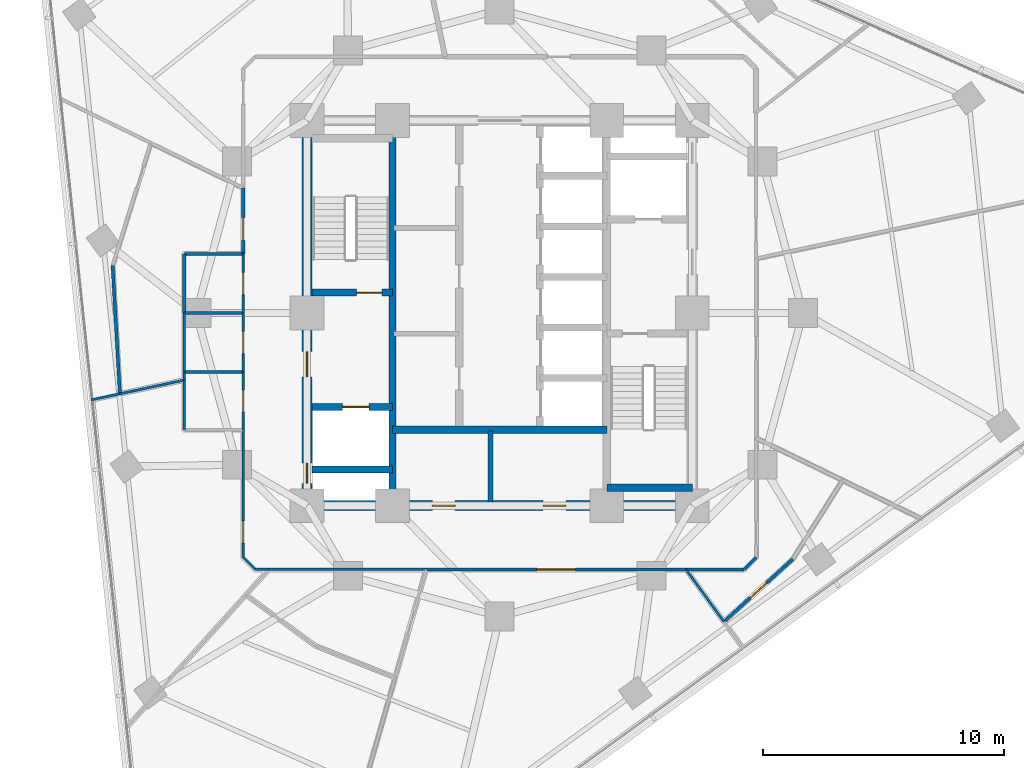
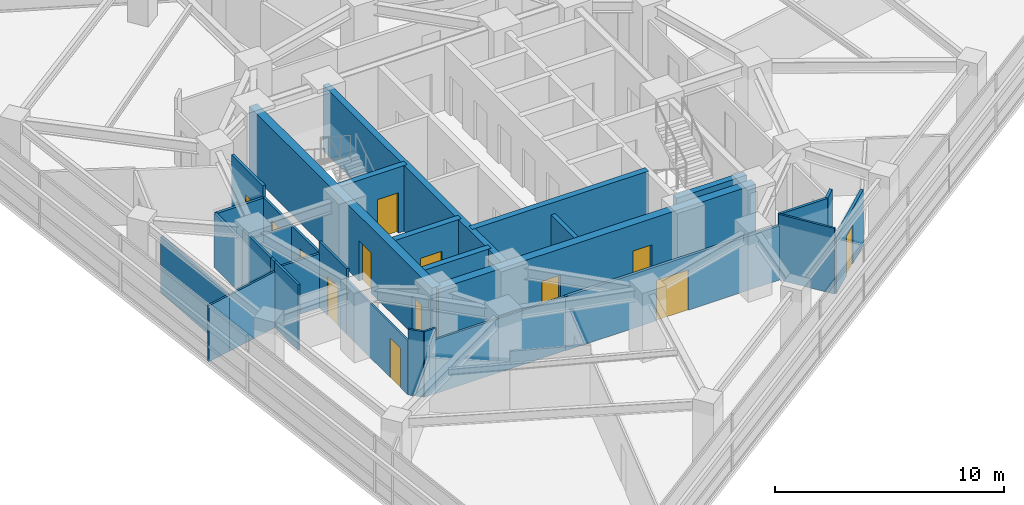
# One storey, part 8 of 14: 32 walls, 13 doors, 13 openings.
"""IFC4 building model written with IfcOpenShell, lengths in metres."""

from ifc_helpers import new_model, si_unit, direction, frame, frame_2d, origin, place, context, subcontext, project, spatial, rectangle, extrude, material, layer, layer_set, type_object, element, fill, save


model = new_model("IFC4")

# Units and contexts
model_context = context("Model", 3, precision=1e-05, world=origin(), true_north=direction((0.0, 1.0)))
body_context = subcontext(model_context, "Body", "Model", "MODEL_VIEW")
ifc_project = project(units=[si_unit("LENGTHUNIT", "METRE"), si_unit("AREAUNIT", "SQUARE_METRE"), si_unit("VOLUMEUNIT", "CUBIC_METRE"), si_unit("PLANEANGLEUNIT", "RADIAN"), si_unit("MASSUNIT", "GRAM", prefix="KILO")], contexts=[model_context])

# Site, building, storey
site_placement = place(None, origin())
site = spatial("IfcSite", under=ifc_project, at=site_placement, CompositionType="ELEMENT")
building_placement = place(site_placement, origin())
building = spatial("IfcBuilding", under=site, at=building_placement, Name="Terralouvre Media Tower", CompositionType="ELEMENT")
storey_placement = place(building_placement, frame((0.0, 0.0, 165.699951171875)))
storey = spatial("IfcBuildingStorey", under=building, at=storey_placement, Name="L42", CompositionType="ELEMENT", Elevation=165.699951171875)

# Wall
ifc_material_1 = material(Name="Concrete C50/60", Category="concrete")
ifc_layer_1 = layer(ifc_material_1, 0.300048828125, Name="Core Internal Shaft Wall CW-300")
ifc_layer_set_1 = layer_set([ifc_layer_1], Name="Concrete C50/60")
wall_type_1 = type_object("IfcWallType", Name="Core Internal Shaft Wall CW-300", PredefinedType="SHEAR", material=ifc_layer_set_1)
wall_1_placement = place(storey_placement, frame((-4.449951171875, -7.7900390625, 0.0), z_axis=(0.0, 0.0, 1.0), x_axis=(0.0, 1.0, 0.0)))
element("IfcWall", 1, at=wall_1_placement, inside=storey, type_object=wall_type_1, Name="L42 Core Shaft Wall SPW", PredefinedType="SHEAR", context=body_context, shape_type="SweptSolid", body=[
    extrude(rectangle(XDim=15.580078125, YDim=0.300048828125, at=frame_2d((7.7900390625, 0.0))), origin(), (0.0, 0.0, 1.0), 3.5),
])

# Wall, opening, door
wall_2_placement = place(storey_placement, frame((-7.7900390625, 0.85009765625, 0.0), z_axis=(0.0, 0.0, 1.0), x_axis=(1.0, 0.0, 0.0)))
wall_2 = element("IfcWall", 2, at=wall_2_placement, inside=storey, type_object=wall_type_1, Name="L42 Core Shaft Wall ST1D", PredefinedType="SHEAR", context=body_context, shape_type="SweptSolid", body=[
    extrude(rectangle(XDim=3.340087890625, YDim=0.300048828125, at=frame_2d((1.669921875, 0.0))), origin(), (0.0, 0.0, 1.0), 3.5),
])
opening_1_placement = place(wall_2_placement, frame((1.85009765625, 0.0, 0.0)))
opening_1 = element("IfcOpeningElement", 3, at=opening_1_placement, cuts=wall_2, Name="Opening FD-01-105X215", PredefinedType="OPENING", context=body_context, shape_type="SweptSolid", body=[
    extrude(rectangle(XDim=1.050048828125, YDim=2.14990234375, at=frame_2d((0.52490234375, 1.074951171875))), frame((0.0, 0.159912109375, 0.0), z_axis=(0.0, -1.0, 0.0), x_axis=(1.0, 0.0, 0.0)), (0.0, 0.0, 1.0), 0.320068359375),
])
ifc_material_2 = material(Name="Galvanised steel fire-resisting leaf", Category="steel")
door_type_1 = type_object("IfcDoorType", Name="Stair and Firefighting Lobby Fire Door FD-01 (1050x2150)", OperationType="NOTDEFINED", PredefinedType="DOOR", material=ifc_material_2)
door_1_placement = place(opening_1_placement, origin())
door_1 = element("IfcDoor", 4, at=door_1_placement, inside=storey, type_object=door_type_1, Name="L42 ST-01 Exit Stair Door", OperationType="SINGLE_SWING_LEFT", OverallHeight=2.14990234375, OverallWidth=1.050048828125, PredefinedType="DOOR", context=body_context, shape_type="SweptSolid", body=[
    extrude(rectangle(XDim=1.050048828125, YDim=2.14990234375, at=frame_2d((0.52490234375, 1.074951171875))), frame((0.0, 0.02490234375, 0.0), z_axis=(0.0, -1.0, 0.0), x_axis=(1.0, 0.0, 0.0)), (0.0, 0.0, 1.0), 0.050048828125),
])
fill(opening_1, door_1)

# Wall
wall_3_placement = place(storey_placement, frame((4.449951171875, -7.260009765625, 0.0), z_axis=(0.0, 0.0, 1.0), x_axis=(1.0, 0.0, 0.0)))
element("IfcWall", 5, at=wall_3_placement, inside=storey, type_object=wall_type_1, Name="L42 Core Shaft Wall ST2F", PredefinedType="SHEAR", context=body_context, shape_type="SweptSolid", body=[
    extrude(rectangle(XDim=3.550048828125, YDim=0.300048828125, at=frame_2d((1.77490234375, 0.0))), origin(), (0.0, 0.0, 1.0), 3.5),
])

# Wall, opening, door
wall_4_placement = place(storey_placement, frame((-7.7900390625, -3.89990234375, 0.0), z_axis=(0.0, 0.0, 1.0), x_axis=(1.0, 0.0, 0.0)))
wall_4 = element("IfcWall", 6, at=wall_4_placement, inside=storey, type_object=wall_type_1, Name="L42 Core Shaft Wall FF1N", PredefinedType="SHEAR", context=body_context, shape_type="SweptSolid", body=[
    extrude(rectangle(XDim=3.340087890625, YDim=0.300048828125, at=frame_2d((1.669921875, 0.0))), origin(), (0.0, 0.0, 1.0), 3.5),
])
opening_2_placement = place(wall_4_placement, frame((1.27001953125, 0.0, 0.0)))
opening_2 = element("IfcOpeningElement", 7, at=opening_2_placement, cuts=wall_4, Name="Opening LD-FF", PredefinedType="OPENING", context=body_context, shape_type="SweptSolid", body=[
    extrude(rectangle(XDim=1.10009765625, YDim=2.10009765625, at=frame_2d((0.550048828125, 1.050048828125))), frame((0.0, 0.159912109375, 0.0), z_axis=(0.0, -1.0, 0.0), x_axis=(1.0, 0.0, 0.0)), (0.0, 0.0, 1.0), 0.320068359375),
])
ifc_material_3 = material(Name="Stainless steel 316 handrail and balustrade", Category="steel")
door_type_2 = type_object("IfcDoorType", Name="Firefighting Lift Sliding Landing Door LD-FF", OperationType="SLIDING_TO_LEFT", PredefinedType="DOOR", material=ifc_material_3)
door_2_placement = place(opening_2_placement, origin())
door_2 = element("IfcDoor", 8, at=door_2_placement, inside=storey, type_object=door_type_2, Name="L42 Firefighting Lift FFL-01 Landing Door", OperationType="SLIDING_TO_LEFT", OverallHeight=2.10009765625, OverallWidth=1.10009765625, PredefinedType="DOOR", context=body_context, shape_type="SweptSolid", body=[
    extrude(rectangle(XDim=1.10009765625, YDim=2.10009765625, at=frame_2d((0.550048828125, 1.050048828125))), frame((0.0, 0.02490234375, 0.0), z_axis=(0.0, -1.0, 0.0), x_axis=(1.0, 0.0, 0.0)), (0.0, 0.0, 1.0), 0.050048828125),
])
fill(opening_2, door_2)

# Walls
wall_5_placement = place(storey_placement, frame((-7.7900390625, -6.5, 0.0), z_axis=(0.0, 0.0, 1.0), x_axis=(1.0, 0.0, 0.0)))
element("IfcWall", 9, at=wall_5_placement, inside=storey, type_object=wall_type_1, Name="L42 Core Shaft Wall FF1S", PredefinedType="SHEAR", context=body_context, shape_type="SweptSolid", body=[
    extrude(rectangle(XDim=3.340087890625, YDim=0.300048828125, at=frame_2d((1.669921875, 0.0))), origin(), (0.0, 0.0, 1.0), 3.5),
])
wall_6_placement = place(storey_placement, frame((-4.449951171875, -4.85009765625, 0.0), z_axis=(0.0, 0.0, 1.0), x_axis=(1.0, 0.0, 0.0)))
element("IfcWall", 10, at=wall_6_placement, inside=storey, type_object=wall_type_1, Name="L42 Core Shaft Wall CSBN", PredefinedType="SHEAR", context=body_context, shape_type="SweptSolid", body=[
    extrude(rectangle(XDim=8.89990234375, YDim=0.300048828125, at=frame_2d((4.449951171875, 0.0))), origin(), (0.0, 0.0, 1.0), 3.5),
])

# Wall, openings, doors
ifc_material_4 = material(Name="Concrete C60/75", Category="concrete")
ifc_layer_2 = layer(ifc_material_4, 0.419921875, Name="Core Reinforced Concrete Shear Wall CW-420")
ifc_layer_set_2 = layer_set([ifc_layer_2], Name="Concrete C60/75")
wall_type_2 = type_object("IfcWallType", Name="Core Reinforced Concrete Shear Wall CW-420", PredefinedType="SHEAR", material=ifc_layer_set_2)
wall_7_placement = place(storey_placement, frame((-8.0, -8.0, 0.0), z_axis=(0.0, 0.0, 1.0), x_axis=(0.0, 1.0, 0.0)))
wall_7 = element("IfcWall", 11, at=wall_7_placement, inside=storey, type_object=wall_type_2, Name="L42 W Core Shear Wall", PredefinedType="SHEAR", context=body_context, shape_type="SweptSolid", body=[
    extrude(rectangle(XDim=16.0, YDim=0.419921875, at=frame_2d((8.0, 0.0))), origin(), (0.0, 0.0, 1.0), 3.5),
])
opening_3_placement = place(wall_7_placement, frame((0.921630859375, 0.0, 0.0)))
opening_3 = element("IfcOpeningElement", 12, at=opening_3_placement, cuts=wall_7, Name="Opening TD-R1", PredefinedType="OPENING", context=body_context, shape_type="SweptSolid", body=[
    extrude(rectangle(XDim=0.85009765625, YDim=2.02001953125, at=frame_2d((0.425048828125, 1.010009765625))), frame((0.0, 0.219970703125, 0.0), z_axis=(0.0, -1.0, 0.0), x_axis=(1.0, 0.0, 0.0)), (0.0, 0.0, 1.0), 0.43994140625),
])
opening_4_placement = place(wall_7_placement, frame((5.35009765625, 0.0, 0.0)))
opening_4 = element("IfcOpeningElement", 13, at=opening_4_placement, cuts=wall_7, Name="Opening FD-01-105X215", PredefinedType="OPENING", context=body_context, shape_type="SweptSolid", body=[
    extrude(rectangle(XDim=1.050048828125, YDim=2.14990234375, at=frame_2d((0.52490234375, 1.074951171875))), frame((0.0, 0.219970703125, 0.0), z_axis=(0.0, -1.0, 0.0), x_axis=(1.0, 0.0, 0.0)), (0.0, 0.0, 1.0), 0.43994140625),
])
ifc_material_5 = material(Name="Galvanised steel fire-resisting leaf", Category="steel")
door_type_3 = type_object("IfcDoorType", Name="Riser Inspection Access Trapdoor TD-R1", OperationType="NOTDEFINED", PredefinedType="TRAPDOOR", material=ifc_material_5)
door_3_placement = place(opening_3_placement, origin())
door_3 = element("IfcDoor", 14, at=door_3_placement, inside=storey, type_object=door_type_3, Name="L42 Wet Riser Access Trapdoor", OperationType="SINGLE_SWING_LEFT", OverallHeight=2.02001953125, OverallWidth=0.85009765625, PredefinedType="TRAPDOOR", context=body_context, shape_type="SweptSolid", body=[
    extrude(rectangle(XDim=0.85009765625, YDim=2.02001953125, at=frame_2d((0.425048828125, 1.010009765625))), frame((0.0, 0.02490234375, 0.0), z_axis=(0.0, -1.0, 0.0), x_axis=(1.0, 0.0, 0.0)), (0.0, 0.0, 1.0), 0.050048828125),
])
fill(opening_3, door_3)
door_4_placement = place(opening_4_placement, origin())
door_4 = element("IfcDoor", 15, at=door_4_placement, inside=storey, type_object=door_type_1, Name="L42 West Firefighting Lobby Entry Door", OperationType="SINGLE_SWING_RIGHT", OverallHeight=2.14990234375, OverallWidth=1.050048828125, PredefinedType="DOOR", context=body_context, shape_type="SweptSolid", body=[
    extrude(rectangle(XDim=1.050048828125, YDim=2.14990234375, at=frame_2d((0.52490234375, 1.074951171875))), frame((0.0, 0.02490234375, 0.0), z_axis=(0.0, -1.0, 0.0), x_axis=(1.0, 0.0, 0.0)), (0.0, 0.0, 1.0), 0.050048828125),
])
fill(opening_4, door_4)

wall_8_placement = place(storey_placement, frame((-8.0, -8.0, 0.0), z_axis=(0.0, 0.0, 1.0), x_axis=(1.0, 0.0, 0.0)))
wall_8 = element("IfcWall", 16, at=wall_8_placement, inside=storey, type_object=wall_type_2, Name="L42 S Core Shear Wall", PredefinedType="SHEAR", context=body_context, shape_type="SweptSolid", body=[
    extrude(rectangle(XDim=16.0, YDim=0.419921875, at=frame_2d((8.0, 0.0))), origin(), (0.0, 0.0, 1.0), 3.5),
])
opening_5_placement = place(wall_8_placement, frame((5.199951171875, 0.0, 0.0)))
opening_5 = element("IfcOpeningElement", 17, at=opening_5_placement, cuts=wall_8, Name="Opening FD-02-95X210", PredefinedType="OPENING", context=body_context, shape_type="SweptSolid", body=[
    extrude(rectangle(XDim=0.949951171875, YDim=2.10009765625, at=frame_2d((0.47509765625, 1.050048828125))), frame((0.0, 0.219970703125, 0.0), z_axis=(0.0, -1.0, 0.0), x_axis=(1.0, 0.0, 0.0)), (0.0, 0.0, 1.0), 0.43994140625),
])
opening_6_placement = place(wall_8_placement, frame((9.800048828125, 0.0, 0.0)))
opening_6 = element("IfcOpeningElement", 18, at=opening_6_placement, cuts=wall_8, Name="Opening FD-02-95X210", PredefinedType="OPENING", context=body_context, shape_type="SweptSolid", body=[
    extrude(rectangle(XDim=0.949951171875, YDim=2.10009765625, at=frame_2d((0.47509765625, 1.050048828125))), frame((0.0, 0.219970703125, 0.0), z_axis=(0.0, -1.0, 0.0), x_axis=(1.0, 0.0, 0.0)), (0.0, 0.0, 1.0), 0.43994140625),
])
ifc_material_6 = material(Name="Galvanised steel fire-resisting leaf", Category="steel")
door_type_4 = type_object("IfcDoorType", Name="Plant and Riser Fire Door FD-02 (950x2100)", OperationType="NOTDEFINED", PredefinedType="DOOR", material=ifc_material_6)
door_5_placement = place(opening_5_placement, origin())
door_5 = element("IfcDoor", 19, at=door_5_placement, inside=storey, type_object=door_type_4, Name="L42 Core Valve Plant Door", OperationType="SINGLE_SWING_LEFT", OverallHeight=2.10009765625, OverallWidth=0.949951171875, PredefinedType="DOOR", context=body_context, shape_type="SweptSolid", body=[
    extrude(rectangle(XDim=0.949951171875, YDim=2.10009765625, at=frame_2d((0.47509765625, 1.050048828125))), frame((0.0, 0.02490234375, 0.0), z_axis=(0.0, -1.0, 0.0), x_axis=(1.0, 0.0, 0.0)), (0.0, 0.0, 1.0), 0.050048828125),
])
fill(opening_5, door_5)
door_6_placement = place(opening_6_placement, origin())
door_6 = element("IfcDoor", 20, at=door_6_placement, inside=storey, type_object=door_type_4, Name="L42 Core MDF Plant Door", OperationType="SINGLE_SWING_RIGHT", OverallHeight=2.10009765625, OverallWidth=0.949951171875, PredefinedType="DOOR", context=body_context, shape_type="SweptSolid", body=[
    extrude(rectangle(XDim=0.949951171875, YDim=2.10009765625, at=frame_2d((0.47509765625, 1.050048828125))), frame((0.0, 0.02490234375, 0.0), z_axis=(0.0, -1.0, 0.0), x_axis=(1.0, 0.0, 0.0)), (0.0, 0.0, 1.0), 0.050048828125),
])
fill(opening_6, door_6)

# Wall, opening, door
ifc_material_7 = material(Name="Low-iron laminated double glazing with solar-control coating", Category="glass")
ifc_layer_3 = layer(ifc_material_7, 0.10009765625, Name="Demountable Glazed Office Partition PT-GL100")
ifc_layer_set_3 = layer_set([ifc_layer_3], Name="Low-iron laminated double glazing with solar-control coating")
wall_type_3 = type_object("IfcWallType", Name="Demountable Glazed Office Partition PT-GL100", PredefinedType="MOVABLE", material=ifc_layer_set_3)
wall_9_placement = place(storey_placement, frame((-10.64990234375, -4.85009765625, 0.0), z_axis=(0.0, 0.0, 1.0), x_axis=(0.0, -1.0, 0.0)))
wall_9 = element("IfcWall", 21, at=wall_9_placement, inside=storey, type_object=wall_type_3, Name="L42 Interior Partition 003", PredefinedType="MOVABLE", context=body_context, shape_type="SweptSolid", body=[
    extrude(rectangle(XDim=5.2998046875, YDim=0.10009765625, at=frame_2d((2.64990234375, 0.0))), origin(), (0.0, 0.0, 1.0), 2.885009765625),
])
opening_7_placement = place(wall_9_placement, frame((3.780029296875, 0.0, 0.0)))
opening_7 = element("IfcOpeningElement", 22, at=opening_7_placement, cuts=wall_9, Name="Opening ID-03-92X210", PredefinedType="OPENING", context=body_context, shape_type="SweptSolid", body=[
    extrude(rectangle(XDim=0.919921875, YDim=2.10009765625, at=frame_2d((0.4599609375, 1.050048828125))), frame((0.0, 0.06005859375, 0.0), z_axis=(0.0, -1.0, 0.0), x_axis=(1.0, 0.0, 0.0)), (0.0, 0.0, 1.0), 0.1201171875),
])
ifc_material_8 = material(Name="Engineered hardwood acoustic timber leaf", Category="wood")
door_type_5 = type_object("IfcDoorType", Name="Accessible Restroom and Suite Door ID-03 (920x2100)", OperationType="NOTDEFINED", PredefinedType="DOOR", material=ifc_material_8)
door_7_placement = place(opening_7_placement, origin())
door_7 = element("IfcDoor", 23, at=door_7_placement, inside=storey, type_object=door_type_5, Name="L42 Journalism Training Classroom 1 Door", OperationType="SINGLE_SWING_RIGHT", OverallHeight=2.10009765625, OverallWidth=0.919921875, PredefinedType="DOOR", context=body_context, shape_type="SweptSolid", body=[
    extrude(rectangle(XDim=0.919921875, YDim=2.10009765625, at=frame_2d((0.4599609375, 1.050048828125))), frame((0.0, 0.02490234375, 0.0), z_axis=(0.0, -1.0, 0.0), x_axis=(1.0, 0.0, 0.0)), (0.0, 0.0, 1.0), 0.050048828125),
])
fill(opening_7, door_7)

# Walls
wall_10_placement = place(storey_placement, frame((-10.64990234375, -10.14990234375, 0.0), z_axis=(0.0, 0.0, 1.0), x_axis=(0.707106781187, -0.707106781187, 0.0)))
element("IfcWall", 24, at=wall_10_placement, inside=storey, type_object=wall_type_3, Name="L42 Interior Partition 004", PredefinedType="MOVABLE", context=body_context, shape_type="SweptSolid", body=[
    extrude(rectangle(XDim=0.70703125, YDim=0.10009765625, at=frame_2d((0.353515625, 0.0))), origin(), (0.0, 0.0, 1.0), 3.5),
])
wall_11_placement = place(storey_placement, frame((-10.14990234375, -10.64990234375, 0.0), z_axis=(0.0, 0.0, 1.0), x_axis=(1.0, 0.0, 0.0)))
element("IfcWall", 25, at=wall_11_placement, inside=storey, type_object=wall_type_3, Name="L42 Interior Partition 005", PredefinedType="MOVABLE", context=body_context, shape_type="SweptSolid", body=[
    extrude(rectangle(XDim=0.560791015625, YDim=0.10009765625, at=frame_2d((0.2802734375, 0.0))), origin(), (0.0, 0.0, 1.0), 3.5),
])
wall_12_placement = place(storey_placement, frame((-9.589111328125, -10.64990234375, 0.0), z_axis=(0.0, 0.0, 1.0), x_axis=(1.0, 0.0, 0.0)))
element("IfcWall", 26, at=wall_12_placement, inside=storey, type_object=wall_type_3, Name="L42 Interior Partition 006", PredefinedType="MOVABLE", context=body_context, shape_type="SweptSolid", body=[
    extrude(rectangle(XDim=6.53515625, YDim=0.10009765625, at=frame_2d((3.267578125, 0.0))), origin(), (0.0, 0.0, 1.0), 2.885009765625),
])
wall_13_placement = place(storey_placement, frame((-15.777099609375, -3.35302734375, 0.0), z_axis=(0.0, 0.0, 1.0), x_axis=(-0.978029023755, -0.208468771503, 0.0)))
element("IfcWall", 27, at=wall_13_placement, inside=storey, type_object=wall_type_3, Name="L42 Interior Partition 029", PredefinedType="MOVABLE", context=body_context, shape_type="SweptSolid", body=[
    extrude(rectangle(XDim=1.2109375, YDim=0.10009765625, at=frame_2d((0.60546875, 0.0))), origin(), (0.0, 0.0, 1.0), 2.985107421875),
])
wall_14_placement = place(storey_placement, frame((-13.10009765625, -2.783935546875, 0.0), z_axis=(0.0, 0.0, 1.0), x_axis=(-0.978141843994, -0.207938772307, 0.0)))
element("IfcWall", 28, at=wall_14_placement, inside=storey, type_object=wall_type_3, Name="L42 Interior Partition 030", PredefinedType="MOVABLE", context=body_context, shape_type="SweptSolid", body=[
    extrude(rectangle(XDim=2.73681640625, YDim=0.10009765625, at=frame_2d((1.368408203125, 0.0))), origin(), (0.0, 0.0, 1.0), 2.985107421875),
])
wall_15_placement = place(storey_placement, frame((9.31591796875, -12.822021484375, 0.0), z_axis=(0.0, 0.0, 1.0), x_axis=(-0.587722823028, 0.80906234821, 0.0)))
element("IfcWall", 29, at=wall_15_placement, inside=storey, type_object=wall_type_3, Name="L42 Interior Partition 035", PredefinedType="MOVABLE", context=body_context, shape_type="SweptSolid", body=[
    extrude(rectangle(XDim=2.684814453125, YDim=0.10009765625, at=frame_2d((1.34228515625, 0.0))), origin(), (0.0, 0.0, 1.0), 3.5),
])
ifc_material_9 = material(Name="Fire-rated gypsum board drywall partition")
ifc_layer_4 = layer(ifc_material_9, 0.199951171875, Name="Fire-Rated Shaft and Lobby Partition FW-200")
ifc_layer_set_4 = layer_set([ifc_layer_4], Name="Fire-rated gypsum board drywall partition")
wall_type_4 = type_object("IfcWallType", Name="Fire-Rated Shaft and Lobby Partition FW-200", PredefinedType="SOLIDWALL", material=ifc_layer_set_4)
wall_16_placement = place(storey_placement, frame((-0.3798828125, -7.85009765625, 0.0), z_axis=(0.0, 0.0, 1.0), x_axis=(0.0, 1.0, 0.0)))
element("IfcWall", 30, at=wall_16_placement, inside=storey, type_object=wall_type_4, Name="L42 Core Service Bay Partition 1", PredefinedType="SOLIDWALL", context=body_context, shape_type="SweptSolid", body=[
    extrude(rectangle(XDim=2.9501953125, YDim=0.199951171875, at=frame_2d((1.47509765625, 0.0))), origin(), (0.0, 0.0, 1.0), 2.885009765625),
])

# Wall, opening, door
ifc_material_10 = material(Name="Fire-rated gypsum board drywall partition")
ifc_layer_5 = layer(ifc_material_10, 0.135009765625, Name="Newsroom Acoustic Partition PT-135")
ifc_layer_set_5 = layer_set([ifc_layer_5], Name="Fire-rated gypsum board drywall partition")
wall_type_5 = type_object("IfcWallType", Name="Newsroom Acoustic Partition PT-135", PredefinedType="PARTITIONING", material=ifc_layer_set_5)
wall_17_placement = place(storey_placement, frame((-3.053955078125, -10.64990234375, 0.0), z_axis=(0.0, 0.0, 1.0), x_axis=(1.0, 0.0, 0.0)))
wall_17 = element("IfcWall", 31, at=wall_17_placement, inside=storey, type_object=wall_type_5, Name="L42 Interior Partition 007", PredefinedType="PARTITIONING", context=body_context, shape_type="SweptSolid", body=[
    extrude(rectangle(XDim=10.7919921875, YDim=0.135009765625, at=frame_2d((5.39599609375, 0.0))), origin(), (0.0, 0.0, 1.0), 2.885009765625),
])
opening_8_placement = place(wall_17_placement, frame((4.595947265625, 0.0, 0.0)))
opening_8 = element("IfcOpeningElement", 32, at=opening_8_placement, cuts=wall_17, Name="Opening ID-04-160X215", PredefinedType="OPENING", context=body_context, shape_type="SweptSolid", body=[
    extrude(rectangle(XDim=1.60009765625, YDim=2.14990234375, at=frame_2d((0.800048828125, 1.074951171875))), frame((0.0, 0.077392578125, 0.0), z_axis=(0.0, -1.0, 0.0), x_axis=(1.0, 0.0, 0.0)), (0.0, 0.0, 1.0), 0.155029296875),
])
ifc_material_11 = material(Name="Engineered hardwood acoustic timber leaf", Category="wood")
door_type_6 = type_object("IfcDoorType", Name="Conference Double Acoustic Door ID-04 (1600x2150)", OperationType="DOUBLE_DOOR_SINGLE_SWING", PredefinedType="DOOR", material=ifc_material_11)
door_8_placement = place(opening_8_placement, origin())
door_8 = element("IfcDoor", 33, at=door_8_placement, inside=storey, type_object=door_type_6, Name="L42 Digital Editing Lecture Room 4 Door", OperationType="DOUBLE_DOOR_SINGLE_SWING", OverallHeight=2.14990234375, OverallWidth=1.60009765625, PredefinedType="DOOR", context=body_context, shape_type="SweptSolid", body=[
    extrude(rectangle(XDim=1.60009765625, YDim=2.14990234375, at=frame_2d((0.800048828125, 1.074951171875))), frame((0.0, 0.02490234375, 0.0), z_axis=(0.0, -1.0, 0.0), x_axis=(1.0, 0.0, 0.0)), (0.0, 0.0, 1.0), 0.050048828125),
])
fill(opening_8, door_8)

# Walls
wall_18_placement = place(storey_placement, frame((7.738037109375, -10.64990234375, 0.0), z_axis=(0.0, 0.0, 1.0), x_axis=(1.0, 0.0, 0.0)))
element("IfcWall", 34, at=wall_18_placement, inside=storey, type_object=wall_type_5, Name="L42 Interior Partition 008", PredefinedType="PARTITIONING", context=body_context, shape_type="SweptSolid", body=[
    extrude(rectangle(XDim=2.411865234375, YDim=0.135009765625, at=frame_2d((1.2060546875, 0.0))), origin(), (0.0, 0.0, 1.0), 3.5),
])
wall_19_placement = place(storey_placement, frame((10.14990234375, -10.64990234375, 0.0), z_axis=(0.0, 0.0, 1.0), x_axis=(0.707106781187, 0.707106781187, 0.0)))
element("IfcWall", 35, at=wall_19_placement, inside=storey, type_object=wall_type_5, Name="L42 Interior Partition 009", PredefinedType="PARTITIONING", context=body_context, shape_type="SweptSolid", body=[
    extrude(rectangle(XDim=0.70703125, YDim=0.135009765625, at=frame_2d((0.353515625, 0.0))), origin(), (0.0, 0.0, 1.0), 3.5),
])

# Wall, opening, door
wall_20_placement = place(storey_placement, frame((-10.64990234375, 5.194091796875, 0.0), z_axis=(0.0, 0.0, 1.0), x_axis=(0.0, -1.0, 0.0)))
wall_20 = element("IfcWall", 36, at=wall_20_placement, inside=storey, type_object=wall_type_5, Name="L42 Interior Partition 019", PredefinedType="PARTITIONING", context=body_context, shape_type="SweptSolid", body=[
    extrude(rectangle(XDim=2.744140625, YDim=0.135009765625, at=frame_2d((1.3720703125, 0.0))), origin(), (0.0, 0.0, 1.0), 3.5),
])
opening_9_placement = place(wall_20_placement, frame((1.226318359375, 0.0, 0.0)))
opening_9 = element("IfcOpeningElement", 37, at=opening_9_placement, cuts=wall_20, Name="Opening ID-02-95X210", PredefinedType="OPENING", context=body_context, shape_type="SweptSolid", body=[
    extrude(rectangle(XDim=0.949951171875, YDim=2.10009765625, at=frame_2d((0.47509765625, 1.050048828125))), frame((0.0, 0.077392578125, 0.0), z_axis=(0.0, -1.0, 0.0), x_axis=(1.0, 0.0, 0.0)), (0.0, 0.0, 1.0), 0.155029296875),
])
ifc_material_12 = material(Name="Engineered hardwood acoustic timber leaf", Category="wood")
door_type_7 = type_object("IfcDoorType", Name="Office and Meeting Room Door ID-02 (950x2100)", OperationType="NOTDEFINED", PredefinedType="DOOR", material=ifc_material_12)
door_9_placement = place(opening_9_placement, origin())
door_9 = element("IfcDoor", 38, at=door_9_placement, inside=storey, type_object=door_type_7, Name="L42 Admissions Reception 13 Door", OperationType="SINGLE_SWING_LEFT", OverallHeight=2.10009765625, OverallWidth=0.949951171875, PredefinedType="DOOR", context=body_context, shape_type="SweptSolid", body=[
    extrude(rectangle(XDim=0.949951171875, YDim=2.10009765625, at=frame_2d((0.47509765625, 1.050048828125))), frame((0.0, 0.02490234375, 0.0), z_axis=(0.0, -1.0, 0.0), x_axis=(1.0, 0.0, 0.0)), (0.0, 0.0, 1.0), 0.050048828125),
])
fill(opening_9, door_9)

wall_21_placement = place(storey_placement, frame((9.31591796875, -12.822021484375, 0.0), z_axis=(0.0, 0.0, 1.0), x_axis=(0.740145591151, 0.672446655058, 0.0)))
wall_21 = element("IfcWall", 39, at=wall_21_placement, inside=storey, type_object=wall_type_5, Name="L42 Interior Partition 037", PredefinedType="PARTITIONING", context=body_context, shape_type="SweptSolid", body=[
    extrude(rectangle(XDim=3.86962890625, YDim=0.135009765625, at=frame_2d((1.934814453125, 0.0))), origin(), (0.0, 0.0, 1.0), 2.985107421875),
])
opening_10_placement = place(wall_21_placement, frame((1.474609375, 0.0, 0.0)))
opening_10 = element("IfcOpeningElement", 40, at=opening_10_placement, cuts=wall_21, Name="Opening ID-03-92X210", PredefinedType="OPENING", context=body_context, shape_type="SweptSolid", body=[
    extrude(rectangle(XDim=0.919921875, YDim=2.10009765625, at=frame_2d((0.4599609375, 1.050048828125))), frame((0.0, 0.077392578125, 0.0), z_axis=(0.0, -1.0, 0.0), x_axis=(1.0, 0.0, 0.0)), (0.0, 0.0, 1.0), 0.155029296875),
])
door_10_placement = place(opening_10_placement, origin())
door_10 = element("IfcDoor", 41, at=door_10_placement, inside=storey, type_object=door_type_5, Name="L42 Periodicals Reading Club 6 Door", OperationType="SINGLE_SWING_LEFT", OverallHeight=2.10009765625, OverallWidth=0.919921875, PredefinedType="DOOR", context=body_context, shape_type="SweptSolid", body=[
    extrude(rectangle(XDim=0.919921875, YDim=2.10009765625, at=frame_2d((0.4599609375, 1.050048828125))), frame((0.0, 0.02490234375, 0.0), z_axis=(0.0, -1.0, 0.0), x_axis=(1.0, 0.0, 0.0)), (0.0, 0.0, 1.0), 0.050048828125),
])
fill(opening_10, door_10)

# Walls
wall_22_placement = place(storey_placement, frame((-15.777099609375, -3.35302734375, 0.0), z_axis=(0.0, 0.0, 1.0), x_axis=(-0.056600228811, 0.99839692212, 0.0)))
element("IfcWall", 42, at=wall_22_placement, inside=storey, type_object=wall_type_5, Name="L42 Interior Partition 051", PredefinedType="PARTITIONING", context=body_context, shape_type="SweptSolid", body=[
    extrude(rectangle(XDim=5.335693359375, YDim=0.135009765625, at=frame_2d((2.66796875, 0.0))), origin(), (0.0, 0.0, 1.0), 2.985107421875),
])
wall_23_placement = place(storey_placement, frame((-13.10009765625, 0.0, 0.0), z_axis=(0.0, 0.0, 1.0), x_axis=(0.0, 1.0, 0.0)))
element("IfcWall", 43, at=wall_23_placement, inside=storey, type_object=wall_type_5, Name="L42 Interior Partition 053", PredefinedType="PARTITIONING", context=body_context, shape_type="SweptSolid", body=[
    extrude(rectangle(XDim=2.449951171875, YDim=0.135009765625, at=frame_2d((1.22509765625, 0.0))), origin(), (0.0, 0.0, 1.0), 2.885009765625),
])
wall_24_placement = place(storey_placement, frame((-13.10009765625, 2.449951171875, 0.0), z_axis=(0.0, 0.0, 1.0), x_axis=(1.0, 0.0, 0.0)))
element("IfcWall", 44, at=wall_24_placement, inside=storey, type_object=wall_type_5, Name="L42 Interior Partition 054", PredefinedType="PARTITIONING", context=body_context, shape_type="SweptSolid", body=[
    extrude(rectangle(XDim=2.4501953125, YDim=0.135009765625, at=frame_2d((1.22509765625, 0.0))), origin(), (0.0, 0.0, 1.0), 2.885009765625),
])

# Wall, opening, door
ifc_material_13 = material(Name="Fire-rated gypsum board drywall partition")
ifc_layer_6 = layer(ifc_material_13, 0.114990234375, Name="Restroom and Pantry Partition PT-115")
ifc_layer_set_6 = layer_set([ifc_layer_6], Name="Fire-rated gypsum board drywall partition")
wall_type_6 = type_object("IfcWallType", Name="Restroom and Pantry Partition PT-115", PredefinedType="PARTITIONING", material=ifc_layer_set_6)
wall_25_placement = place(storey_placement, frame((-10.64990234375, 0.0, 0.0), z_axis=(0.0, 0.0, 1.0), x_axis=(0.0, -1.0, 0.0)))
wall_25 = element("IfcWall", 45, at=wall_25_placement, inside=storey, type_object=wall_type_6, Name="L42 Interior Partition 001", PredefinedType="PARTITIONING", context=body_context, shape_type="SweptSolid", body=[
    extrude(rectangle(XDim=2.449951171875, YDim=0.114990234375, at=frame_2d((1.22509765625, 0.0))), origin(), (0.0, 0.0, 1.0), 2.885009765625),
])
opening_11_placement = place(wall_25_placement, frame((0.764892578125, 0.0, 0.0)))
opening_11 = element("IfcOpeningElement", 46, at=opening_11_placement, cuts=wall_25, Name="Opening ID-03-92X210", PredefinedType="OPENING", context=body_context, shape_type="SweptSolid", body=[
    extrude(rectangle(XDim=0.919921875, YDim=2.10009765625, at=frame_2d((0.4599609375, 1.050048828125))), frame((0.0, 0.0673828125, 0.0), z_axis=(0.0, -1.0, 0.0), x_axis=(1.0, 0.0, 0.0)), (0.0, 0.0, 1.0), 0.135009765625),
])
door_11_placement = place(opening_11_placement, origin())
door_11 = element("IfcDoor", 47, at=door_11_placement, inside=storey, type_object=door_type_5, Name="L42 Female Restroom WC Door", OperationType="SINGLE_SWING_RIGHT", OverallHeight=2.10009765625, OverallWidth=0.919921875, PredefinedType="DOOR", context=body_context, shape_type="SweptSolid", body=[
    extrude(rectangle(XDim=0.919921875, YDim=2.10009765625, at=frame_2d((0.4599609375, 1.050048828125))), frame((0.0, 0.02490234375, 0.0), z_axis=(0.0, -1.0, 0.0), x_axis=(1.0, 0.0, 0.0)), (0.0, 0.0, 1.0), 0.050048828125),
])
fill(opening_11, door_11)

wall_26_placement = place(storey_placement, frame((-10.64990234375, -2.449951171875, 0.0), z_axis=(0.0, 0.0, 1.0), x_axis=(0.0, -1.0, 0.0)))
wall_26 = element("IfcWall", 48, at=wall_26_placement, inside=storey, type_object=wall_type_6, Name="L42 Interior Partition 002", PredefinedType="PARTITIONING", context=body_context, shape_type="SweptSolid", body=[
    extrude(rectangle(XDim=2.400146484375, YDim=0.114990234375, at=frame_2d((1.2001953125, 0.0))), origin(), (0.0, 0.0, 1.0), 3.5),
])
opening_12_placement = place(wall_26_placement, frame((0.739990234375, 0.0, 0.0)))
opening_12 = element("IfcOpeningElement", 49, at=opening_12_placement, cuts=wall_26, Name="Opening ID-03-92X210", PredefinedType="OPENING", context=body_context, shape_type="SweptSolid", body=[
    extrude(rectangle(XDim=0.919921875, YDim=2.10009765625, at=frame_2d((0.4599609375, 1.050048828125))), frame((0.0, 0.0673828125, 0.0), z_axis=(0.0, -1.0, 0.0), x_axis=(1.0, 0.0, 0.0)), (0.0, 0.0, 1.0), 0.135009765625),
])
door_12_placement = place(opening_12_placement, origin())
door_12 = element("IfcDoor", 50, at=door_12_placement, inside=storey, type_object=door_type_5, Name="L42 Male Restroom WC Door", OperationType="SINGLE_SWING_LEFT", OverallHeight=2.10009765625, OverallWidth=0.919921875, PredefinedType="DOOR", context=body_context, shape_type="SweptSolid", body=[
    extrude(rectangle(XDim=0.919921875, YDim=2.10009765625, at=frame_2d((0.4599609375, 1.050048828125))), frame((0.0, 0.02490234375, 0.0), z_axis=(0.0, -1.0, 0.0), x_axis=(1.0, 0.0, 0.0)), (0.0, 0.0, 1.0), 0.050048828125),
])
fill(opening_12, door_12)

wall_27_placement = place(storey_placement, frame((-10.64990234375, 2.449951171875, 0.0), z_axis=(0.0, 0.0, 1.0), x_axis=(0.0, -1.0, 0.0)))
wall_27 = element("IfcWall", 51, at=wall_27_placement, inside=storey, type_object=wall_type_6, Name="L42 Interior Partition 020", PredefinedType="PARTITIONING", context=body_context, shape_type="SweptSolid", body=[
    extrude(rectangle(XDim=2.449951171875, YDim=0.114990234375, at=frame_2d((1.22509765625, 0.0))), origin(), (0.0, 0.0, 1.0), 2.885009765625),
])
opening_13_placement = place(wall_27_placement, frame((0.764892578125, 0.0, 0.0)))
opening_13 = element("IfcOpeningElement", 52, at=opening_13_placement, cuts=wall_27, Name="Opening ID-03-92X210", PredefinedType="OPENING", context=body_context, shape_type="SweptSolid", body=[
    extrude(rectangle(XDim=0.919921875, YDim=2.10009765625, at=frame_2d((0.4599609375, 1.050048828125))), frame((0.0, 0.0673828125, 0.0), z_axis=(0.0, -1.0, 0.0), x_axis=(1.0, 0.0, 0.0)), (0.0, 0.0, 1.0), 0.135009765625),
])
door_13_placement = place(opening_13_placement, origin())
door_13 = element("IfcDoor", 53, at=door_13_placement, inside=storey, type_object=door_type_5, Name="L42 Accessible Unisex WC Door", OperationType="SINGLE_SWING_RIGHT", OverallHeight=2.10009765625, OverallWidth=0.919921875, PredefinedType="DOOR", context=body_context, shape_type="SweptSolid", body=[
    extrude(rectangle(XDim=0.919921875, YDim=2.10009765625, at=frame_2d((0.4599609375, 1.050048828125))), frame((0.0, 0.02490234375, 0.0), z_axis=(0.0, -1.0, 0.0), x_axis=(1.0, 0.0, 0.0)), (0.0, 0.0, 1.0), 0.050048828125),
])
fill(opening_13, door_13)

# Walls
wall_28_placement = place(storey_placement, frame((-13.10009765625, -2.449951171875, 0.0), z_axis=(0.0, 0.0, 1.0), x_axis=(1.0, 0.0, 0.0)))
element("IfcWall", 54, at=wall_28_placement, inside=storey, type_object=wall_type_6, Name="L42 Interior Partition 021", PredefinedType="PARTITIONING", context=body_context, shape_type="SweptSolid", body=[
    extrude(rectangle(XDim=2.4501953125, YDim=0.114990234375, at=frame_2d((1.22509765625, 0.0))), origin(), (0.0, 0.0, 1.0), 2.885009765625),
])
wall_29_placement = place(storey_placement, frame((-13.10009765625, 0.0, 0.0), z_axis=(0.0, 0.0, 1.0), x_axis=(0.0, -1.0, 0.0)))
element("IfcWall", 55, at=wall_29_placement, inside=storey, type_object=wall_type_6, Name="L42 Interior Partition 022", PredefinedType="PARTITIONING", context=body_context, shape_type="SweptSolid", body=[
    extrude(rectangle(XDim=2.449951171875, YDim=0.114990234375, at=frame_2d((1.22509765625, 0.0))), origin(), (0.0, 0.0, 1.0), 3.5),
])
wall_30_placement = place(storey_placement, frame((-10.64990234375, 0.0, 0.0), z_axis=(0.0, 0.0, 1.0), x_axis=(-1.0, 0.0, 0.0)))
element("IfcWall", 56, at=wall_30_placement, inside=storey, type_object=wall_type_6, Name="L42 Interior Partition 023", PredefinedType="PARTITIONING", context=body_context, shape_type="SweptSolid", body=[
    extrude(rectangle(XDim=2.4501953125, YDim=0.114990234375, at=frame_2d((1.22509765625, 0.0))), origin(), (0.0, 0.0, 1.0), 2.885009765625),
])
wall_31_placement = place(storey_placement, frame((-13.10009765625, -2.783935546875, 0.0), z_axis=(0.0, 0.0, 1.0), x_axis=(0.0, -1.0, 0.0)))
element("IfcWall", 57, at=wall_31_placement, inside=storey, type_object=wall_type_6, Name="L42 Interior Partition 024", PredefinedType="PARTITIONING", context=body_context, shape_type="SweptSolid", body=[
    extrude(rectangle(XDim=2.066162109375, YDim=0.114990234375, at=frame_2d((1.033203125, 0.0))), origin(), (0.0, 0.0, 1.0), 3.5),
])
wall_32_placement = place(storey_placement, frame((-13.10009765625, -2.449951171875, 0.0), z_axis=(0.0, 0.0, 1.0), x_axis=(0.0, -1.0, 0.0)))
element("IfcWall", 58, at=wall_32_placement, inside=storey, type_object=wall_type_6, Name="L42 Interior Partition 026", PredefinedType="PARTITIONING", context=body_context, shape_type="SweptSolid", body=[
    extrude(rectangle(XDim=0.333984375, YDim=0.114990234375, at=frame_2d((0.1669921875, 0.0))), origin(), (0.0, 0.0, 1.0), 3.5),
])

save(model, "model.ifc")
